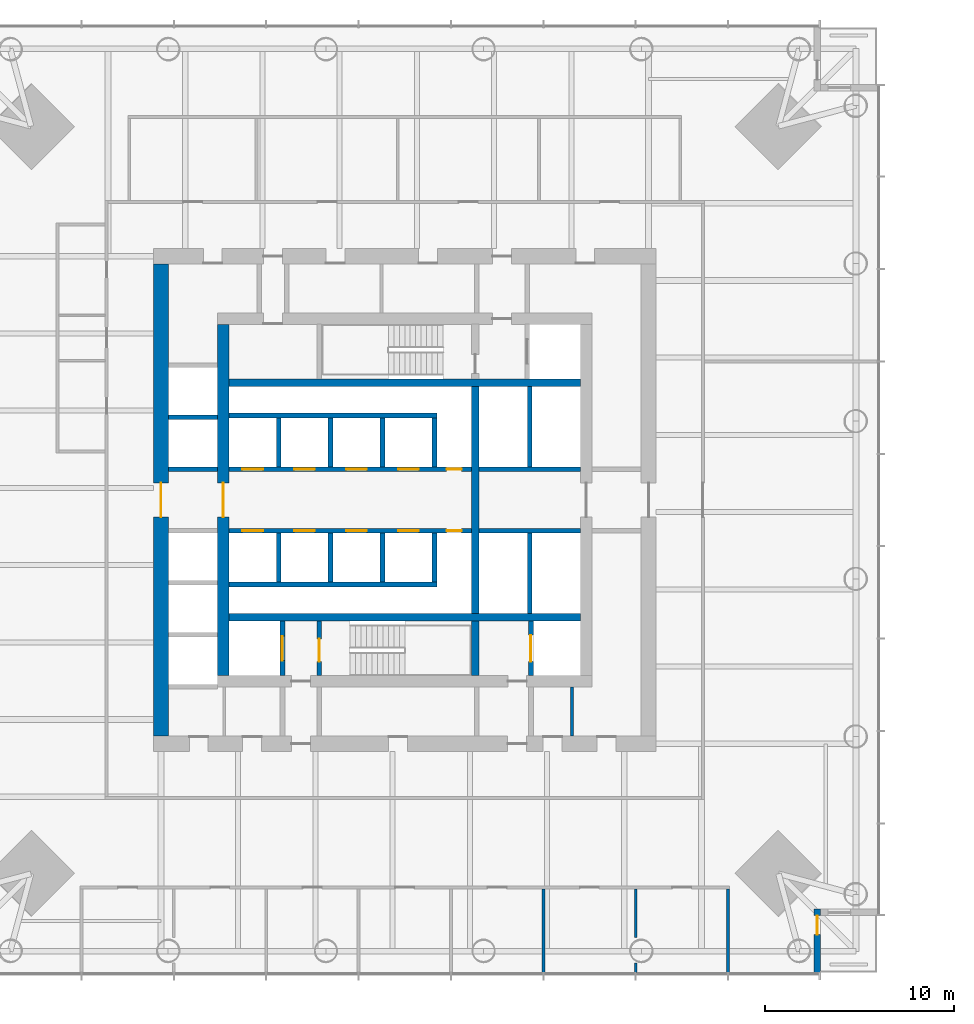
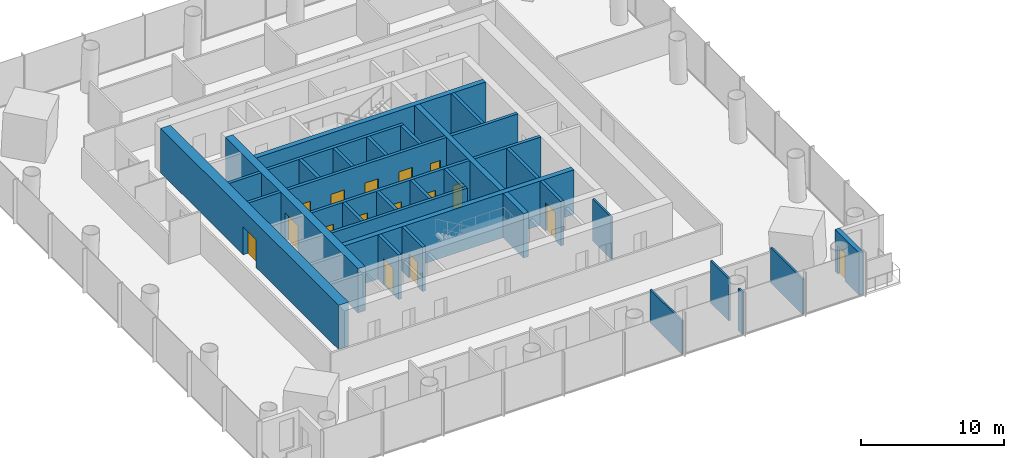
# One storey, part 10 of 19: 33 walls, 16 doors, 16 openings.
"""IFC4 building model written with IfcOpenShell, lengths in metres."""

from ifc_helpers import new_model, si_unit, direction, frame, frame_2d, origin, place, context, subcontext, project, spatial, rectangle, extrude, material, layer, layer_set, type_object, element, fill, save


model = new_model("IFC4")

# Units and contexts
model_context = context("Model", 3, precision=1e-05, world=origin(), true_north=direction((0.0, 1.0)))
body_context = subcontext(model_context, "Body", "Model", "MODEL_VIEW")
ifc_project = project(units=[si_unit("LENGTHUNIT", "METRE"), si_unit("AREAUNIT", "SQUARE_METRE"), si_unit("VOLUMEUNIT", "CUBIC_METRE"), si_unit("PLANEANGLEUNIT", "RADIAN"), si_unit("MASSUNIT", "GRAM", prefix="KILO")], contexts=[model_context])

# Site, building, storey
site_placement = place(None, origin())
site = spatial("IfcSite", under=ifc_project, at=site_placement, CompositionType="ELEMENT")
building_placement = place(site_placement, origin())
building = spatial("IfcBuilding", under=site, at=building_placement, Name="Ostroluk Exchange", CompositionType="ELEMENT")
storey_placement = place(building_placement, frame((0.0, 0.0, 24.800048828125)))
storey = spatial("IfcBuildingStorey", under=building, at=storey_placement, Name="L05", CompositionType="ELEMENT", Elevation=24.800048828125)

# Walls
ifc_material_1 = material(Name="Concrete blockwork", Category="masonry")
ifc_layer_1 = layer(ifc_material_1, 0.14990234375)
ifc_layer_set_1 = layer_set([ifc_layer_1], Name="Blockwork plant room wall 150")
wall_type_1 = type_object("IfcWallType", Name="Blockwork plant room wall 150", PredefinedType="SOLIDWALL", material=ifc_layer_set_1)
wall_1_placement = place(storey_placement, frame((53.85205078125, 33.5, 0.0), z_axis=(0.0, 0.0, 1.0), x_axis=(0.0, 1.0, 0.0)))
element("IfcWall", 1, at=wall_1_placement, inside=storey, type_object=wall_type_1, Name="Core room wall", PredefinedType="SOLIDWALL", context=body_context, shape_type="SweptSolid", body=[
    extrude(rectangle(XDim=2.60009765625, YDim=0.14990234375, at=frame_2d((1.300048828125, 0.0))), origin(), (0.0, 0.0, 1.0), 3.619873046875),
])
ifc_material_2 = material(Name="Concrete C50/60", Category="concrete")
ifc_layer_2 = layer(ifc_material_2, 0.39990234375)
ifc_layer_set_2 = layer_set([ifc_layer_2], Name="Core cross wall 400 C50/60")
wall_type_2 = type_object("IfcWallType", Name="Core cross wall 400 C50/60", PredefinedType="SHEAR", material=ifc_layer_set_2)
for number, where, z_axis, x_axis, name in (
    (2, (35.699951171875, 39.800048828125, 0.0), (0.0, 0.0, 1.0), (1.0, 0.0, 0.0), "T1 core wall XS"),
    (3, (35.699951171875, 52.199951171875, 0.0), (0.0, 0.0, 1.0), (1.0, 0.0, 0.0), "T1 core wall XN"),
):
    element("IfcWall", number, at=place(storey_placement, frame(where, z_axis=z_axis, x_axis=x_axis)), inside=storey, type_object=wall_type_2, Name=name, PredefinedType="SHEAR", context=body_context, shape_type="SweptSolid", body=[
        extrude(rectangle(XDim=18.60009765625, YDim=0.39990234375, at=frame_2d((9.300048828125, 0.0))), origin(), (0.0, 0.0, 1.0), 3.800048828125),
    ])
wall_2_placement = place(storey_placement, frame((48.72998046875, 36.699951171875, 0.0), z_axis=(0.0, 0.0, 1.0), x_axis=(0.0, 1.0, 0.0)))
element("IfcWall", 4, at=wall_2_placement, inside=storey, type_object=wall_type_2, Name="T1 core wall YE1", PredefinedType="SHEAR", context=body_context, shape_type="SweptSolid", body=[
    extrude(rectangle(XDim=2.900146484375, YDim=0.39990234375, at=frame_2d((1.4501953125, 0.0))), origin(), (0.0, 0.0, 1.0), 3.800048828125),
])
wall_3_placement = place(storey_placement, frame((48.72998046875, 40.0, 0.0), z_axis=(0.0, 0.0, 1.0), x_axis=(0.0, 1.0, 0.0)))
element("IfcWall", 5, at=wall_3_placement, inside=storey, type_object=wall_type_2, Name="T1 core wall YE2", PredefinedType="SHEAR", context=body_context, shape_type="SweptSolid", body=[
    extrude(rectangle(XDim=12.0, YDim=0.39990234375, at=frame_2d((6.0, 0.0))), origin(), (0.0, 0.0, 1.0), 3.800048828125),
])

# Wall, opening, door
ifc_material_3 = material(Name="Concrete C40/50", Category="concrete")
ifc_layer_3 = layer(ifc_material_3, 0.25)
ifc_layer_set_3 = layer_set([ifc_layer_3], Name="Core shaft wall 250")
wall_type_3 = type_object("IfcWallType", Name="Core shaft wall 250", PredefinedType="SHEAR", material=ifc_layer_set_3)
wall_4_placement = place(storey_placement, frame((38.52490234375, 36.699951171875, 0.0), z_axis=(0.0, 0.0, 1.0), x_axis=(0.0, 1.0, 0.0)))
wall_4 = element("IfcWall", 6, at=wall_4_placement, inside=storey, type_object=wall_type_3, Name="Firefighting lift shaft wall", PredefinedType="SHEAR", context=body_context, shape_type="SweptSolid", body=[
    extrude(rectangle(XDim=2.900146484375, YDim=0.25, at=frame_2d((1.4501953125, 0.0))), origin(), (0.0, 0.0, 1.0), 3.800048828125),
])
opening_1_placement = place(wall_4_placement, frame((0.800048828125, 0.0, 0.0)))
opening_1 = element("IfcOpeningElement", 7, at=opening_1_placement, cuts=wall_4, Name="Opening LD2", PredefinedType="OPENING", context=body_context, shape_type="SweptSolid", body=[
    extrude(rectangle(XDim=1.300048828125, YDim=2.199951171875, at=frame_2d((0.64990234375, 1.10009765625))), frame((0.0, 0.135009765625, 0.0), z_axis=(0.0, -1.0, 0.0), x_axis=(1.0, 0.0, 0.0)), (0.0, 0.0, 1.0), 0.27001953125),
])
ifc_material_4 = material(Name="Stainless steel", Category="steel")
door_type_1 = type_object("IfcDoorType", Name="Lift landing door E 60 1300 x 2200", OperationType="DOUBLE_DOOR_SLIDING", PredefinedType="DOOR", material=ifc_material_4)
door_1_placement = place(opening_1_placement, origin())
door_1 = element("IfcDoor", 8, at=door_1_placement, inside=storey, type_object=door_type_1, Name="Lift FL1 landing door", OperationType="DOUBLE_DOOR_SLIDING", OverallHeight=2.199951171875, OverallWidth=1.300048828125, PredefinedType="DOOR", context=body_context, shape_type="SweptSolid", body=[
    extrude(rectangle(XDim=1.300048828125, YDim=2.199951171875, at=frame_2d((0.64990234375, 1.10009765625))), frame((0.0, 0.02490234375, 0.0), z_axis=(0.0, -1.0, 0.0), x_axis=(1.0, 0.0, 0.0)), (0.0, 0.0, 1.0), 0.050048828125),
])
fill(opening_1, door_1)

wall_5_placement = place(storey_placement, frame((40.47509765625, 36.699951171875, 0.0), z_axis=(0.0, 0.0, 1.0), x_axis=(0.0, 1.0, 0.0)))
wall_5 = element("IfcWall", 9, at=wall_5_placement, inside=storey, type_object=wall_type_3, Name="Stair shaft wall", PredefinedType="SHEAR", context=body_context, shape_type="SweptSolid", body=[
    extrude(rectangle(XDim=2.900146484375, YDim=0.25, at=frame_2d((1.4501953125, 0.0))), origin(), (0.0, 0.0, 1.0), 3.800048828125),
])
opening_2_placement = place(wall_5_placement, frame((0.75, 0.0, 0.0)))
opening_2 = element("IfcOpeningElement", 10, at=opening_2_placement, cuts=wall_5, Name="Opening FD60S", PredefinedType="OPENING", context=body_context, shape_type="SweptSolid", body=[
    extrude(rectangle(XDim=1.199951171875, YDim=2.10009765625, at=frame_2d((0.60009765625, 1.050048828125))), frame((0.0, 0.135009765625, 0.0), z_axis=(0.0, -1.0, 0.0), x_axis=(1.0, 0.0, 0.0)), (0.0, 0.0, 1.0), 0.27001953125),
])
ifc_material_5 = material(Name="Steel", Category="steel")
door_type_2 = type_object("IfcDoorType", Name="Stair door EI 60 1200 x 2100", OperationType="SINGLE_SWING_LEFT", PredefinedType="DOOR", material=ifc_material_5)
door_2_placement = place(opening_2_placement, origin())
door_2 = element("IfcDoor", 11, at=door_2_placement, inside=storey, type_object=door_type_2, Name="Stair T1-S1 door", OperationType="SINGLE_SWING_LEFT", OverallHeight=2.10009765625, OverallWidth=1.199951171875, PredefinedType="DOOR", context=body_context, shape_type="SweptSolid", body=[
    extrude(rectangle(XDim=1.199951171875, YDim=2.10009765625, at=frame_2d((0.60009765625, 1.050048828125))), frame((0.0, 0.02490234375, 0.0), z_axis=(0.0, -1.0, 0.0), x_axis=(1.0, 0.0, 0.0)), (0.0, 0.0, 1.0), 0.050048828125),
])
fill(opening_2, door_2)

wall_6_placement = place(storey_placement, frame((51.675048828125, 36.699951171875, 0.0), z_axis=(0.0, 0.0, 1.0), x_axis=(0.0, 1.0, 0.0)))
wall_6 = element("IfcWall", 12, at=wall_6_placement, inside=storey, type_object=wall_type_3, Name="Service lift shaft wall", PredefinedType="SHEAR", context=body_context, shape_type="SweptSolid", body=[
    extrude(rectangle(XDim=2.900146484375, YDim=0.25, at=frame_2d((1.4501953125, 0.0))), origin(), (0.0, 0.0, 1.0), 3.800048828125),
])
opening_3_placement = place(wall_6_placement, frame((0.75, 0.0, 0.0)))
opening_3 = element("IfcOpeningElement", 13, at=opening_3_placement, cuts=wall_6, Name="Opening LD3", PredefinedType="OPENING", context=body_context, shape_type="SweptSolid", body=[
    extrude(rectangle(XDim=1.39990234375, YDim=2.39990234375, at=frame_2d((0.699951171875, 1.199951171875))), frame((0.0, 0.135009765625, 0.0), z_axis=(0.0, -1.0, 0.0), x_axis=(1.0, 0.0, 0.0)), (0.0, 0.0, 1.0), 0.27001953125),
])
ifc_material_6 = material(Name="Stainless steel", Category="steel")
door_type_3 = type_object("IfcDoorType", Name="Goods lift landing door E 60 1400 x 2400", OperationType="DOUBLE_DOOR_SLIDING", PredefinedType="DOOR", material=ifc_material_6)
door_3_placement = place(opening_3_placement, origin())
door_3 = element("IfcDoor", 14, at=door_3_placement, inside=storey, type_object=door_type_3, Name="Lift SL1 landing door", OperationType="DOUBLE_DOOR_SLIDING", OverallHeight=2.39990234375, OverallWidth=1.39990234375, PredefinedType="DOOR", context=body_context, shape_type="SweptSolid", body=[
    extrude(rectangle(XDim=1.39990234375, YDim=2.39990234375, at=frame_2d((0.699951171875, 1.199951171875))), frame((0.0, 0.02490234375, 0.0), z_axis=(0.0, -1.0, 0.0), x_axis=(1.0, 0.0, 0.0)), (0.0, 0.0, 1.0), 0.050048828125),
])
fill(opening_3, door_3)

# Walls
for number, where, z_axis, x_axis, name in (
    (15, (38.324951171875, 47.75, 0.0), (0.0, 0.0, 1.0), (0.0, 1.0, 0.0), "Lift shaft wall"),
    (16, (41.074951171875, 47.75, 0.0), (0.0, 0.0, 1.0), (0.0, 1.0, 0.0), "Lift shaft wall"),
    (17, (43.824951171875, 47.75, 0.0), (0.0, 0.0, 1.0), (0.0, 1.0, 0.0), "Lift shaft wall"),
    (18, (46.574951171875, 47.75, 0.0), (0.0, 0.0, 1.0), (0.0, 1.0, 0.0), "Lift shaft wall"),
):
    element("IfcWall", number, at=place(storey_placement, frame(where, z_axis=z_axis, x_axis=x_axis)), inside=storey, type_object=wall_type_3, Name=name, PredefinedType="SHEAR", context=body_context, shape_type="SweptSolid", body=[
        extrude(rectangle(XDim=2.60009765625, YDim=0.25, at=frame_2d((1.300048828125, 0.0))), origin(), (0.0, 0.0, 1.0), 3.800048828125),
    ])
wall_7_placement = place(storey_placement, frame((35.699951171875, 50.47509765625, 0.0), z_axis=(0.0, 0.0, 1.0), x_axis=(1.0, 0.0, 0.0)))
element("IfcWall", 19, at=wall_7_placement, inside=storey, type_object=wall_type_3, Name="Lift shaft wall", PredefinedType="SHEAR", context=body_context, shape_type="SweptSolid", body=[
    extrude(rectangle(XDim=11.0, YDim=0.25, at=frame_2d((5.5, 0.0))), origin(), (0.0, 0.0, 1.0), 3.800048828125),
])

# Wall, openings, doors
wall_8_placement = place(storey_placement, frame((35.699951171875, 47.625, 0.0), z_axis=(0.0, 0.0, 1.0), x_axis=(1.0, 0.0, 0.0)))
wall_8 = element("IfcWall", 20, at=wall_8_placement, inside=storey, type_object=wall_type_3, Name="Lift shaft front wall", PredefinedType="SHEAR", context=body_context, shape_type="SweptSolid", body=[
    extrude(rectangle(XDim=12.830078125, YDim=0.25, at=frame_2d((6.4150390625, 0.0))), origin(), (0.0, 0.0, 1.0), 3.800048828125),
])
opening_4_placement = place(wall_8_placement, frame((0.699951171875, 0.0, 0.0)))
opening_4 = element("IfcOpeningElement", 21, at=opening_4_placement, cuts=wall_8, Name="Opening LD", PredefinedType="OPENING", context=body_context, shape_type="SweptSolid", body=[
    extrude(rectangle(XDim=1.10009765625, YDim=2.199951171875, at=frame_2d((0.550048828125, 1.10009765625))), frame((0.0, 0.135009765625, 0.0), z_axis=(0.0, -1.0, 0.0), x_axis=(1.0, 0.0, 0.0)), (0.0, 0.0, 1.0), 0.27001953125),
])
opening_5_placement = place(wall_8_placement, frame((3.449951171875, 0.0, 0.0)))
opening_5 = element("IfcOpeningElement", 22, at=opening_5_placement, cuts=wall_8, Name="Opening LD", PredefinedType="OPENING", context=body_context, shape_type="SweptSolid", body=[
    extrude(rectangle(XDim=1.10009765625, YDim=2.199951171875, at=frame_2d((0.550048828125, 1.10009765625))), frame((0.0, 0.135009765625, 0.0), z_axis=(0.0, -1.0, 0.0), x_axis=(1.0, 0.0, 0.0)), (0.0, 0.0, 1.0), 0.27001953125),
])
opening_6_placement = place(wall_8_placement, frame((6.199951171875, 0.0, 0.0)))
opening_6 = element("IfcOpeningElement", 23, at=opening_6_placement, cuts=wall_8, Name="Opening LD", PredefinedType="OPENING", context=body_context, shape_type="SweptSolid", body=[
    extrude(rectangle(XDim=1.10009765625, YDim=2.199951171875, at=frame_2d((0.550048828125, 1.10009765625))), frame((0.0, 0.135009765625, 0.0), z_axis=(0.0, -1.0, 0.0), x_axis=(1.0, 0.0, 0.0)), (0.0, 0.0, 1.0), 0.27001953125),
])
opening_7_placement = place(wall_8_placement, frame((8.949951171875, 0.0, 0.0)))
opening_7 = element("IfcOpeningElement", 24, at=opening_7_placement, cuts=wall_8, Name="Opening LD", PredefinedType="OPENING", context=body_context, shape_type="SweptSolid", body=[
    extrude(rectangle(XDim=1.10009765625, YDim=2.199951171875, at=frame_2d((0.550048828125, 1.10009765625))), frame((0.0, 0.135009765625, 0.0), z_axis=(0.0, -1.0, 0.0), x_axis=(1.0, 0.0, 0.0)), (0.0, 0.0, 1.0), 0.27001953125),
])
opening_8_placement = place(wall_8_placement, frame((11.514892578125, 0.0, 0.0)))
opening_8 = element("IfcOpeningElement", 25, at=opening_8_placement, cuts=wall_8, Name="Opening RD60", PredefinedType="OPENING", context=body_context, shape_type="SweptSolid", body=[
    extrude(rectangle(XDim=0.800048828125, YDim=2.0, at=frame_2d((0.39990234375, 1.0))), frame((0.0, 0.135009765625, 0.0), z_axis=(0.0, -1.0, 0.0), x_axis=(1.0, 0.0, 0.0)), (0.0, 0.0, 1.0), 0.27001953125),
])
ifc_material_7 = material(Name="Stainless steel", Category="steel")
door_type_4 = type_object("IfcDoorType", Name="Lift landing door E 60 1100 x 2200", OperationType="DOUBLE_DOOR_SLIDING", PredefinedType="DOOR", material=ifc_material_7)
door_4_placement = place(opening_4_placement, origin())
door_4 = element("IfcDoor", 26, at=door_4_placement, inside=storey, type_object=door_type_4, Name="Lift PL-L1 landing door", OperationType="DOUBLE_DOOR_SLIDING", OverallHeight=2.199951171875, OverallWidth=1.10009765625, PredefinedType="DOOR", context=body_context, shape_type="SweptSolid", body=[
    extrude(rectangle(XDim=1.10009765625, YDim=2.199951171875, at=frame_2d((0.550048828125, 1.10009765625))), frame((0.0, 0.02490234375, 0.0), z_axis=(0.0, -1.0, 0.0), x_axis=(1.0, 0.0, 0.0)), (0.0, 0.0, 1.0), 0.050048828125),
])
fill(opening_4, door_4)
door_5_placement = place(opening_5_placement, origin())
door_5 = element("IfcDoor", 27, at=door_5_placement, inside=storey, type_object=door_type_4, Name="Lift PL-L2 landing door", OperationType="DOUBLE_DOOR_SLIDING", OverallHeight=2.199951171875, OverallWidth=1.10009765625, PredefinedType="DOOR", context=body_context, shape_type="SweptSolid", body=[
    extrude(rectangle(XDim=1.10009765625, YDim=2.199951171875, at=frame_2d((0.550048828125, 1.10009765625))), frame((0.0, 0.02490234375, 0.0), z_axis=(0.0, -1.0, 0.0), x_axis=(1.0, 0.0, 0.0)), (0.0, 0.0, 1.0), 0.050048828125),
])
fill(opening_5, door_5)
door_6_placement = place(opening_6_placement, origin())
door_6 = element("IfcDoor", 28, at=door_6_placement, inside=storey, type_object=door_type_4, Name="Lift PL-L3 landing door", OperationType="DOUBLE_DOOR_SLIDING", OverallHeight=2.199951171875, OverallWidth=1.10009765625, PredefinedType="DOOR", context=body_context, shape_type="SweptSolid", body=[
    extrude(rectangle(XDim=1.10009765625, YDim=2.199951171875, at=frame_2d((0.550048828125, 1.10009765625))), frame((0.0, 0.02490234375, 0.0), z_axis=(0.0, -1.0, 0.0), x_axis=(1.0, 0.0, 0.0)), (0.0, 0.0, 1.0), 0.050048828125),
])
fill(opening_6, door_6)
door_7_placement = place(opening_7_placement, origin())
door_7 = element("IfcDoor", 29, at=door_7_placement, inside=storey, type_object=door_type_4, Name="Lift PL-L4 landing door", OperationType="DOUBLE_DOOR_SLIDING", OverallHeight=2.199951171875, OverallWidth=1.10009765625, PredefinedType="DOOR", context=body_context, shape_type="SweptSolid", body=[
    extrude(rectangle(XDim=1.10009765625, YDim=2.199951171875, at=frame_2d((0.550048828125, 1.10009765625))), frame((0.0, 0.02490234375, 0.0), z_axis=(0.0, -1.0, 0.0), x_axis=(1.0, 0.0, 0.0)), (0.0, 0.0, 1.0), 0.050048828125),
])
fill(opening_7, door_7)
ifc_material_8 = material(Name="Steel", Category="steel")
door_type_5 = type_object("IfcDoorType", Name="Riser access door EI 60 800 x 2000", OperationType="SINGLE_SWING_LEFT", PredefinedType="DOOR", material=ifc_material_8)
door_8_placement = place(opening_8_placement, origin())
door_8 = element("IfcDoor", 30, at=door_8_placement, inside=storey, type_object=door_type_5, Name="Riser access door", OperationType="SINGLE_SWING_RIGHT", OverallHeight=2.0, OverallWidth=0.800048828125, PredefinedType="DOOR", context=body_context, shape_type="SweptSolid", body=[
    extrude(rectangle(XDim=0.800048828125, YDim=2.0, at=frame_2d((0.39990234375, 1.0))), frame((0.0, 0.02490234375, 0.0), z_axis=(0.0, -1.0, 0.0), x_axis=(1.0, 0.0, 0.0)), (0.0, 0.0, 1.0), 0.050048828125),
])
fill(opening_8, door_8)

# Walls
for number, where, z_axis, x_axis, name in (
    (31, (38.324951171875, 44.25, 0.0), (0.0, 0.0, 1.0), (0.0, -1.0, 0.0), "Lift shaft wall"),
    (32, (41.074951171875, 44.25, 0.0), (0.0, 0.0, 1.0), (0.0, -1.0, 0.0), "Lift shaft wall"),
    (33, (43.824951171875, 44.25, 0.0), (0.0, 0.0, 1.0), (0.0, -1.0, 0.0), "Lift shaft wall"),
    (34, (46.574951171875, 44.25, 0.0), (0.0, 0.0, 1.0), (0.0, -1.0, 0.0), "Lift shaft wall"),
):
    element("IfcWall", number, at=place(storey_placement, frame(where, z_axis=z_axis, x_axis=x_axis)), inside=storey, type_object=wall_type_3, Name=name, PredefinedType="SHEAR", context=body_context, shape_type="SweptSolid", body=[
        extrude(rectangle(XDim=2.60009765625, YDim=0.25, at=frame_2d((1.300048828125, 0.0))), origin(), (0.0, 0.0, 1.0), 3.800048828125),
    ])
wall_9_placement = place(storey_placement, frame((35.699951171875, 41.52490234375, 0.0), z_axis=(0.0, 0.0, 1.0), x_axis=(1.0, 0.0, 0.0)))
element("IfcWall", 35, at=wall_9_placement, inside=storey, type_object=wall_type_3, Name="Lift shaft wall", PredefinedType="SHEAR", context=body_context, shape_type="SweptSolid", body=[
    extrude(rectangle(XDim=11.0, YDim=0.25, at=frame_2d((5.5, 0.0))), origin(), (0.0, 0.0, 1.0), 3.800048828125),
])

# Wall, openings, doors
wall_10_placement = place(storey_placement, frame((35.699951171875, 44.375, 0.0), z_axis=(0.0, 0.0, 1.0), x_axis=(1.0, 0.0, 0.0)))
wall_10 = element("IfcWall", 36, at=wall_10_placement, inside=storey, type_object=wall_type_3, Name="Lift shaft front wall", PredefinedType="SHEAR", context=body_context, shape_type="SweptSolid", body=[
    extrude(rectangle(XDim=12.830078125, YDim=0.25, at=frame_2d((6.4150390625, 0.0))), origin(), (0.0, 0.0, 1.0), 3.800048828125),
])
opening_9_placement = place(wall_10_placement, frame((0.699951171875, 0.0, 0.0)))
opening_9 = element("IfcOpeningElement", 37, at=opening_9_placement, cuts=wall_10, Name="Opening LD", PredefinedType="OPENING", context=body_context, shape_type="SweptSolid", body=[
    extrude(rectangle(XDim=1.10009765625, YDim=2.199951171875, at=frame_2d((0.550048828125, 1.10009765625))), frame((0.0, 0.135009765625, 0.0), z_axis=(0.0, -1.0, 0.0), x_axis=(1.0, 0.0, 0.0)), (0.0, 0.0, 1.0), 0.27001953125),
])
opening_10_placement = place(wall_10_placement, frame((3.449951171875, 0.0, 0.0)))
opening_10 = element("IfcOpeningElement", 38, at=opening_10_placement, cuts=wall_10, Name="Opening LD", PredefinedType="OPENING", context=body_context, shape_type="SweptSolid", body=[
    extrude(rectangle(XDim=1.10009765625, YDim=2.199951171875, at=frame_2d((0.550048828125, 1.10009765625))), frame((0.0, 0.135009765625, 0.0), z_axis=(0.0, -1.0, 0.0), x_axis=(1.0, 0.0, 0.0)), (0.0, 0.0, 1.0), 0.27001953125),
])
opening_11_placement = place(wall_10_placement, frame((6.199951171875, 0.0, 0.0)))
opening_11 = element("IfcOpeningElement", 39, at=opening_11_placement, cuts=wall_10, Name="Opening LD", PredefinedType="OPENING", context=body_context, shape_type="SweptSolid", body=[
    extrude(rectangle(XDim=1.10009765625, YDim=2.199951171875, at=frame_2d((0.550048828125, 1.10009765625))), frame((0.0, 0.135009765625, 0.0), z_axis=(0.0, -1.0, 0.0), x_axis=(1.0, 0.0, 0.0)), (0.0, 0.0, 1.0), 0.27001953125),
])
opening_12_placement = place(wall_10_placement, frame((8.949951171875, 0.0, 0.0)))
opening_12 = element("IfcOpeningElement", 40, at=opening_12_placement, cuts=wall_10, Name="Opening LD", PredefinedType="OPENING", context=body_context, shape_type="SweptSolid", body=[
    extrude(rectangle(XDim=1.10009765625, YDim=2.199951171875, at=frame_2d((0.550048828125, 1.10009765625))), frame((0.0, 0.135009765625, 0.0), z_axis=(0.0, -1.0, 0.0), x_axis=(1.0, 0.0, 0.0)), (0.0, 0.0, 1.0), 0.27001953125),
])
opening_13_placement = place(wall_10_placement, frame((11.514892578125, 0.0, 0.0)))
opening_13 = element("IfcOpeningElement", 41, at=opening_13_placement, cuts=wall_10, Name="Opening RD60", PredefinedType="OPENING", context=body_context, shape_type="SweptSolid", body=[
    extrude(rectangle(XDim=0.800048828125, YDim=2.0, at=frame_2d((0.39990234375, 1.0))), frame((0.0, 0.135009765625, 0.0), z_axis=(0.0, -1.0, 0.0), x_axis=(1.0, 0.0, 0.0)), (0.0, 0.0, 1.0), 0.27001953125),
])
door_9_placement = place(opening_9_placement, origin())
door_9 = element("IfcDoor", 42, at=door_9_placement, inside=storey, type_object=door_type_4, Name="Lift PL-L5 landing door", OperationType="DOUBLE_DOOR_SLIDING", OverallHeight=2.199951171875, OverallWidth=1.10009765625, PredefinedType="DOOR", context=body_context, shape_type="SweptSolid", body=[
    extrude(rectangle(XDim=1.10009765625, YDim=2.199951171875, at=frame_2d((0.550048828125, 1.10009765625))), frame((0.0, 0.02490234375, 0.0), z_axis=(0.0, -1.0, 0.0), x_axis=(1.0, 0.0, 0.0)), (0.0, 0.0, 1.0), 0.050048828125),
])
fill(opening_9, door_9)
door_10_placement = place(opening_10_placement, origin())
door_10 = element("IfcDoor", 43, at=door_10_placement, inside=storey, type_object=door_type_4, Name="Lift PL-L6 landing door", OperationType="DOUBLE_DOOR_SLIDING", OverallHeight=2.199951171875, OverallWidth=1.10009765625, PredefinedType="DOOR", context=body_context, shape_type="SweptSolid", body=[
    extrude(rectangle(XDim=1.10009765625, YDim=2.199951171875, at=frame_2d((0.550048828125, 1.10009765625))), frame((0.0, 0.02490234375, 0.0), z_axis=(0.0, -1.0, 0.0), x_axis=(1.0, 0.0, 0.0)), (0.0, 0.0, 1.0), 0.050048828125),
])
fill(opening_10, door_10)
door_11_placement = place(opening_11_placement, origin())
door_11 = element("IfcDoor", 44, at=door_11_placement, inside=storey, type_object=door_type_4, Name="Lift PL-L7 landing door", OperationType="DOUBLE_DOOR_SLIDING", OverallHeight=2.199951171875, OverallWidth=1.10009765625, PredefinedType="DOOR", context=body_context, shape_type="SweptSolid", body=[
    extrude(rectangle(XDim=1.10009765625, YDim=2.199951171875, at=frame_2d((0.550048828125, 1.10009765625))), frame((0.0, 0.02490234375, 0.0), z_axis=(0.0, -1.0, 0.0), x_axis=(1.0, 0.0, 0.0)), (0.0, 0.0, 1.0), 0.050048828125),
])
fill(opening_11, door_11)
door_12_placement = place(opening_12_placement, origin())
door_12 = element("IfcDoor", 45, at=door_12_placement, inside=storey, type_object=door_type_4, Name="Lift PL-L8 landing door", OperationType="DOUBLE_DOOR_SLIDING", OverallHeight=2.199951171875, OverallWidth=1.10009765625, PredefinedType="DOOR", context=body_context, shape_type="SweptSolid", body=[
    extrude(rectangle(XDim=1.10009765625, YDim=2.199951171875, at=frame_2d((0.550048828125, 1.10009765625))), frame((0.0, 0.02490234375, 0.0), z_axis=(0.0, -1.0, 0.0), x_axis=(1.0, 0.0, 0.0)), (0.0, 0.0, 1.0), 0.050048828125),
])
fill(opening_12, door_12)
door_13_placement = place(opening_13_placement, origin())
door_13 = element("IfcDoor", 46, at=door_13_placement, inside=storey, type_object=door_type_5, Name="Riser access door", OperationType="SINGLE_SWING_RIGHT", OverallHeight=2.0, OverallWidth=0.800048828125, PredefinedType="DOOR", context=body_context, shape_type="SweptSolid", body=[
    extrude(rectangle(XDim=0.800048828125, YDim=2.0, at=frame_2d((0.39990234375, 1.0))), frame((0.0, 0.02490234375, 0.0), z_axis=(0.0, -1.0, 0.0), x_axis=(1.0, 0.0, 0.0)), (0.0, 0.0, 1.0), 0.050048828125),
])
fill(opening_13, door_13)

# Walls
wall_11_placement = place(storey_placement, frame((51.614990234375, 47.75, 0.0), z_axis=(0.0, 0.0, 1.0), x_axis=(0.0, 1.0, 0.0)))
element("IfcWall", 47, at=wall_11_placement, inside=storey, type_object=wall_type_3, Name="Lift shaft wall", PredefinedType="SHEAR", context=body_context, shape_type="SweptSolid", body=[
    extrude(rectangle(XDim=4.25, YDim=0.25, at=frame_2d((2.125, 0.0))), origin(), (0.0, 0.0, 1.0), 3.800048828125),
])
wall_12_placement = place(storey_placement, frame((48.929931640625, 47.625, 0.0), z_axis=(0.0, 0.0, 1.0), x_axis=(1.0, 0.0, 0.0)))
element("IfcWall", 48, at=wall_12_placement, inside=storey, type_object=wall_type_3, Name="Lift shaft front wall", PredefinedType="SHEAR", context=body_context, shape_type="SweptSolid", body=[
    extrude(rectangle(XDim=5.3701171875, YDim=0.25, at=frame_2d((2.68505859375, 0.0))), origin(), (0.0, 0.0, 1.0), 3.800048828125),
])
wall_13_placement = place(storey_placement, frame((51.614990234375, 44.25, 0.0), z_axis=(0.0, 0.0, 1.0), x_axis=(0.0, -1.0, 0.0)))
element("IfcWall", 49, at=wall_13_placement, inside=storey, type_object=wall_type_3, Name="Lift shaft wall", PredefinedType="SHEAR", context=body_context, shape_type="SweptSolid", body=[
    extrude(rectangle(XDim=4.25, YDim=0.25, at=frame_2d((2.125, 0.0))), origin(), (0.0, 0.0, 1.0), 3.800048828125),
])
wall_14_placement = place(storey_placement, frame((48.929931640625, 44.375, 0.0), z_axis=(0.0, 0.0, 1.0), x_axis=(1.0, 0.0, 0.0)))
element("IfcWall", 50, at=wall_14_placement, inside=storey, type_object=wall_type_3, Name="Lift shaft front wall", PredefinedType="SHEAR", context=body_context, shape_type="SweptSolid", body=[
    extrude(rectangle(XDim=5.3701171875, YDim=0.25, at=frame_2d((2.68505859375, 0.0))), origin(), (0.0, 0.0, 1.0), 3.800048828125),
])
for number, where, z_axis, x_axis, name in (
    (51, (32.5, 47.625, 0.0), (0.0, 0.0, 1.0), (1.0, 0.0, 0.0), "Lift shaft wall"),
    (52, (32.5, 50.375, 0.0), (0.0, 0.0, 1.0), (1.0, 0.0, 0.0), "Lift shaft wall"),
):
    element("IfcWall", number, at=place(storey_placement, frame(where, z_axis=z_axis, x_axis=x_axis)), inside=storey, type_object=wall_type_3, Name=name, PredefinedType="SHEAR", context=body_context, shape_type="SweptSolid", body=[
        extrude(rectangle(XDim=2.60009765625, YDim=0.25, at=frame_2d((1.300048828125, 0.0))), origin(), (0.0, 0.0, 1.0), 3.800048828125),
    ])

# Wall, opening, door
ifc_material_9 = material(Name="Concrete C50/60", Category="concrete")
ifc_layer_4 = layer(ifc_material_9, 0.60009765625)
ifc_layer_set_4 = layer_set([ifc_layer_4], Name="Core wall 600 C50/60")
wall_type_4 = type_object("IfcWallType", Name="Core wall 600 C50/60", PredefinedType="SHEAR", material=ifc_layer_set_4)
wall_15_placement = place(storey_placement, frame((35.39990234375, 36.699951171875, 0.0), z_axis=(0.0, 0.0, 1.0), x_axis=(0.0, 1.0, 0.0)))
wall_15 = element("IfcWall", 53, at=wall_15_placement, inside=storey, type_object=wall_type_4, Name="T1 core wall W", PredefinedType="SHEAR", context=body_context, shape_type="SweptSolid", body=[
    extrude(rectangle(XDim=18.60009765625, YDim=0.60009765625, at=frame_2d((9.300048828125, 0.0))), origin(), (0.0, 0.0, 1.0), 3.800048828125),
])
opening_14_placement = place(wall_15_placement, frame((8.39990234375, 0.0, 0.0)))
opening_14 = element("IfcOpeningElement", 54, at=opening_14_placement, cuts=wall_15, Name="Opening FD30D", PredefinedType="OPENING", context=body_context, shape_type="SweptSolid", body=[
    extrude(rectangle(XDim=1.800048828125, YDim=2.39990234375, at=frame_2d((0.89990234375, 1.199951171875))), frame((0.0, 0.31005859375, 0.0), z_axis=(0.0, -1.0, 0.0), x_axis=(1.0, 0.0, 0.0)), (0.0, 0.0, 1.0), 0.6201171875),
])
ifc_material_10 = material(Name="Timber", Category="wood")
door_type_6 = type_object("IfcDoorType", Name="Lobby double door EI 30 1800 x 2400", OperationType="DOUBLE_DOOR_SINGLE_SWING", PredefinedType="DOOR", material=ifc_material_10)
door_14_placement = place(opening_14_placement, origin())
door_14 = element("IfcDoor", 55, at=door_14_placement, inside=storey, type_object=door_type_6, Name="Lift lobby doors", OperationType="DOUBLE_DOOR_SINGLE_SWING", OverallHeight=2.39990234375, OverallWidth=1.800048828125, PredefinedType="DOOR", context=body_context, shape_type="SweptSolid", body=[
    extrude(rectangle(XDim=1.800048828125, YDim=2.39990234375, at=frame_2d((0.89990234375, 1.199951171875))), frame((0.0, 0.02490234375, 0.0), z_axis=(0.0, -1.0, 0.0), x_axis=(1.0, 0.0, 0.0)), (0.0, 0.0, 1.0), 0.050048828125),
])
fill(opening_14, door_14)

ifc_material_11 = material(Name="Concrete C50/60", Category="concrete")
ifc_layer_5 = layer(ifc_material_11, 0.800048828125)
ifc_layer_set_5 = layer_set([ifc_layer_5], Name="Core wall 800 C50/60")
wall_type_5 = type_object("IfcWallType", Name="Core wall 800 C50/60", PredefinedType="SHEAR", material=ifc_layer_set_5)
wall_16_placement = place(storey_placement, frame((32.10009765625, 33.5, 0.0), z_axis=(0.0, 0.0, 1.0), x_axis=(0.0, 1.0, 0.0)))
wall_16 = element("IfcWall", 56, at=wall_16_placement, inside=storey, type_object=wall_type_5, Name="T1 core wall RW", PredefinedType="SHEAR", context=body_context, shape_type="SweptSolid", body=[
    extrude(rectangle(XDim=25.0, YDim=0.800048828125, at=frame_2d((12.5, 0.0))), origin(), (0.0, 0.0, 1.0), 3.800048828125),
])
opening_15_placement = place(wall_16_placement, frame((11.60009765625, 0.0, 0.0)))
opening_15 = element("IfcOpeningElement", 57, at=opening_15_placement, cuts=wall_16, Name="Opening FD30D", PredefinedType="OPENING", context=body_context, shape_type="SweptSolid", body=[
    extrude(rectangle(XDim=1.800048828125, YDim=2.39990234375, at=frame_2d((0.89990234375, 1.199951171875))), frame((0.0, 0.409912109375, 0.0), z_axis=(0.0, -1.0, 0.0), x_axis=(1.0, 0.0, 0.0)), (0.0, 0.0, 1.0), 0.820068359375),
])
door_15_placement = place(opening_15_placement, origin())
door_15 = element("IfcDoor", 58, at=door_15_placement, inside=storey, type_object=door_type_6, Name="Lift lobby doors", OperationType="DOUBLE_DOOR_SINGLE_SWING", OverallHeight=2.39990234375, OverallWidth=1.800048828125, PredefinedType="DOOR", context=body_context, shape_type="SweptSolid", body=[
    extrude(rectangle(XDim=1.800048828125, YDim=2.39990234375, at=frame_2d((0.89990234375, 1.199951171875))), frame((0.0, 0.02490234375, 0.0), z_axis=(0.0, -1.0, 0.0), x_axis=(1.0, 0.0, 0.0)), (0.0, 0.0, 1.0), 0.050048828125),
])
fill(opening_15, door_15)

ifc_material_12 = material(Name="Limestone", Category="masonry")
ifc_layer_6 = layer(ifc_material_12, 0.35009765625)
ifc_layer_set_6 = layer_set([ifc_layer_6], Name="Limestone facade wall 350")
wall_type_6 = type_object("IfcWallType", Name="Limestone facade wall 350", PredefinedType="SOLIDWALL", material=ifc_layer_set_6)
wall_17_placement = place(storey_placement, frame((66.824951171875, 21.0, 0.0), z_axis=(0.0, 0.0, 1.0), x_axis=(0.0, 1.0, 0.0)))
wall_17 = element("IfcWall", 59, at=wall_17_placement, inside=storey, type_object=wall_type_6, Name="Office tower SE corner wall L05 a", PredefinedType="SOLIDWALL", context=body_context, shape_type="SweptSolid", body=[
    extrude(rectangle(XDim=3.35009765625, YDim=0.35009765625, at=frame_2d((1.675048828125, 0.0))), origin(), (0.0, 0.0, 1.0), 3.619873046875),
])
opening_16_placement = place(wall_17_placement, frame((2.0, 0.0, 0.0)))
opening_16 = element("IfcOpeningElement", 60, at=opening_16_placement, cuts=wall_17, Name="Opening D-B1", PredefinedType="OPENING", context=body_context, shape_type="SweptSolid", body=[
    extrude(rectangle(XDim=1.0, YDim=2.39990234375, at=frame_2d((0.5, 1.199951171875))), frame((0.0, 0.18505859375, 0.0), z_axis=(0.0, -1.0, 0.0), x_axis=(1.0, 0.0, 0.0)), (0.0, 0.0, 1.0), 0.3701171875),
])
ifc_material_13 = material(Name="Bronze framed glazed door", Category="aluminium")
door_type_7 = type_object("IfcDoorType", Name="Balcony door 1000 x 2400", OperationType="SINGLE_SWING_LEFT", PredefinedType="DOOR", material=ifc_material_13)
door_16_placement = place(opening_16_placement, origin())
door_16 = element("IfcDoor", 61, at=door_16_placement, inside=storey, type_object=door_type_7, Name="Office tower SE balcony door L05", OperationType="SINGLE_SWING_RIGHT", OverallHeight=2.39990234375, OverallWidth=1.0, PredefinedType="DOOR", context=body_context, shape_type="SweptSolid", body=[
    extrude(rectangle(XDim=1.0, YDim=2.39990234375, at=frame_2d((0.5, 1.199951171875))), frame((0.0, 0.02490234375, 0.0), z_axis=(0.0, -1.0, 0.0), x_axis=(1.0, 0.0, 0.0)), (0.0, 0.0, 1.0), 0.050048828125),
])
fill(opening_16, door_16)

# Walls
ifc_material_14 = material(Name="Gypsum plasterboard partition", Category="gypsum")
ifc_layer_7 = layer(ifc_material_14, 0.14990234375)
ifc_layer_set_7 = layer_set([ifc_layer_7], Name="Plasterboard partition 150")
wall_type_7 = type_object("IfcWallType", Name="Plasterboard partition 150", PredefinedType="PARTITIONING", material=ifc_layer_set_7)
wall_18_placement = place(storey_placement, frame((52.333251953125, 25.425048828125, 0.0), z_axis=(0.0, 0.0, 1.0), x_axis=(0.0, -1.0, 0.0)))
element("IfcWall", 62, at=wall_18_placement, inside=storey, type_object=wall_type_7, Name="Partition", PredefinedType="PARTITIONING", context=body_context, shape_type="SweptSolid", body=[
    extrude(rectangle(XDim=4.465087890625, YDim=0.14990234375, at=frame_2d((2.232421875, 0.0))), origin(), (0.0, 0.0, 1.0), 2.849853515625),
])
wall_19_placement = place(storey_placement, frame((57.22216796875, 25.425048828125, 0.0), z_axis=(0.0, 0.0, 1.0), x_axis=(0.0, -1.0, 0.0)))
element("IfcWall", 63, at=wall_19_placement, inside=storey, type_object=wall_type_7, Name="Partition", PredefinedType="PARTITIONING", context=body_context, shape_type="SweptSolid", body=[
    extrude(rectangle(XDim=2.57275390625, YDim=0.14990234375, at=frame_2d((1.286376953125, 0.0))), origin(), (0.0, 0.0, 1.0), 3.619873046875),
])
wall_20_placement = place(storey_placement, frame((57.22216796875, 21.511962890625, 0.0), z_axis=(0.0, 0.0, 1.0), x_axis=(0.0, -1.0, 0.0)))
element("IfcWall", 64, at=wall_20_placement, inside=storey, type_object=wall_type_7, Name="Partition", PredefinedType="PARTITIONING", context=body_context, shape_type="SweptSolid", body=[
    extrude(rectangle(XDim=0.552001953125, YDim=0.14990234375, at=frame_2d((0.27587890625, 0.0))), origin(), (0.0, 0.0, 1.0), 3.619873046875),
])
wall_21_placement = place(storey_placement, frame((62.111083984375, 25.425048828125, 0.0), z_axis=(0.0, 0.0, 1.0), x_axis=(0.0, -1.0, 0.0)))
element("IfcWall", 65, at=wall_21_placement, inside=storey, type_object=wall_type_7, Name="Partition", PredefinedType="PARTITIONING", context=body_context, shape_type="SweptSolid", body=[
    extrude(rectangle(XDim=4.465087890625, YDim=0.14990234375, at=frame_2d((2.232421875, 0.0))), origin(), (0.0, 0.0, 1.0), 3.02001953125),
])

save(model, "model.ifc")
